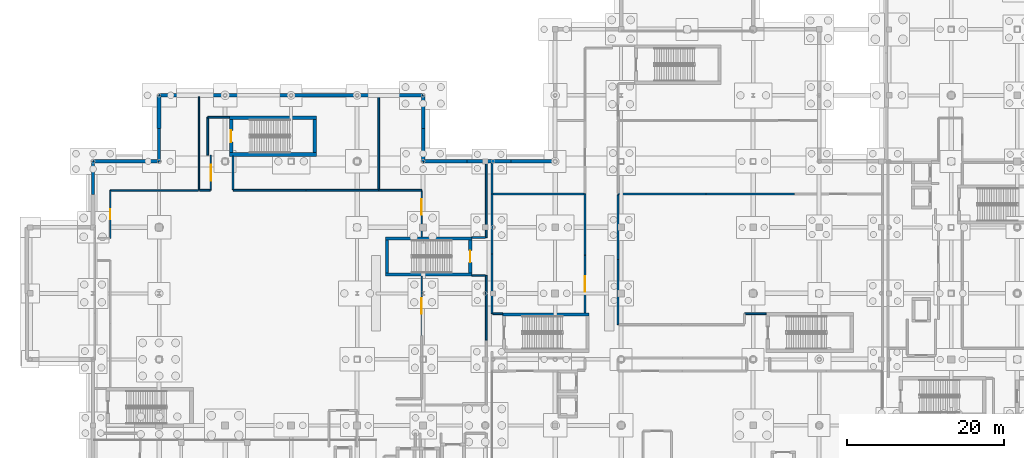
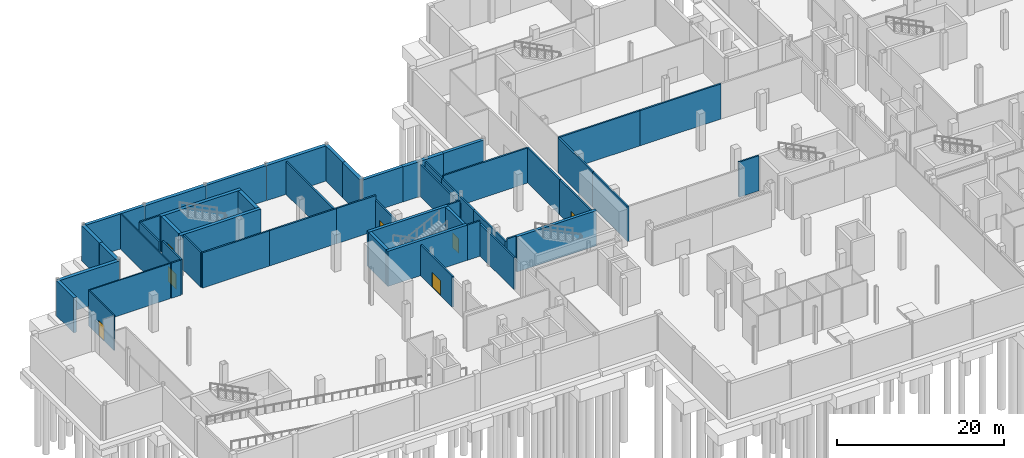
# One storey, part 31 of 49: 52 walls, 7 doors, 7 openings.
"""IFC4 building model written with IfcOpenShell, lengths in metres."""

import ifcopenshell
import ifcopenshell.guid

model = None  # the IFC model being written
_history = None  # IfcOwnerHistory: only IFC2X3 demands one
_inside = {}  # id of a spatial element -> (the spatial element, [elements in it])
_under = {}  # id of a project, library or spatial element -> (it, [spatial elements below it])
_declared = {}  # id of a project -> (the project, [libraries it declares])
_typed = {}  # id of a type object -> (the type object, [elements of that type])
_made_of = {}  # id of a material, layer set ... -> (it, [elements and type objects made of it])


def new_model(schema):
    """Start an empty IFC model of exactly this schema.

    Asked for "IFC4X3", IfcOpenShell would pick the latest addendum, in which some entities
    have other attributes; the version numbers below select the first issue.
    IFC2X3 requires an IfcOwnerHistory on every rooted entity: one is made here for all.
    """
    global model, _history
    if schema == "IFC4X3":
        model = ifcopenshell.file(schema_version=(4, 3, 0, 0))
    else:
        model = ifcopenshell.file(schema=schema)
    _inside.clear()
    _under.clear()
    _declared.clear()
    _typed.clear()
    _made_of.clear()
    _history = None
    if model.schema == "IFC2X3":
        org = make("IfcOrganization", Name="unknown")
        user = make(
            "IfcPersonAndOrganization",
            ThePerson=make("IfcPerson", FamilyName="unknown"),
            TheOrganization=org,
        )
        app = make(
            "IfcApplication",
            ApplicationDeveloper=org,
            Version="unknown",
            ApplicationFullName="unknown",
            ApplicationIdentifier="unknown",
        )
        _history = make(
            "IfcOwnerHistory",
            OwningUser=user,
            OwningApplication=app,
            ChangeAction="ADDED",
            CreationDate=0,
        )
    return model


def make(cls, **values):
    """One entity of the class cls with the attributes given. An attribute that is None is left unset."""
    return model.create_entity(
        cls, **{name: value for name, value in values.items() if value is not None}
    )


def rooted(cls, **values):
    """An entity with a GlobalId (a new one), such as an element, a storey or a relation."""
    return make(cls, GlobalId=ifcopenshell.guid.new(), OwnerHistory=_history, **values)


def si_unit(unit_type, name, prefix=None):
    """IfcSIUnit, for example si_unit("LENGTHUNIT", "METRE", prefix="MILLI")."""
    return make("IfcSIUnit", UnitType=unit_type, Prefix=prefix, Name=name)


def assignment(units):
    """IfcUnitAssignment: the units of a project."""
    return None if units is None else make("IfcUnitAssignment", Units=units)


def point(xyz):
    """IfcCartesianPoint."""
    return None if xyz is None else make("IfcCartesianPoint", Coordinates=xyz)


def direction(xyz):
    """IfcDirection."""
    return None if xyz is None else make("IfcDirection", DirectionRatios=xyz)


def frame(location, z_axis=None, x_axis=None):
    """IfcAxis2Placement3D, a coordinate frame: its origin and axes. An axis left out is left unset."""
    return make(
        "IfcAxis2Placement3D",
        Location=point(location),
        Axis=direction(z_axis),
        RefDirection=direction(x_axis),
    )


def frame_2d(location, x_axis=None):
    """IfcAxis2Placement2D, a coordinate frame in the plane: its origin and x axis."""
    return make(
        "IfcAxis2Placement2D", Location=point(location), RefDirection=direction(x_axis)
    )


def origin():
    """The frame at (0, 0, 0) with its axes left unset."""
    return frame((0.0, 0.0, 0.0))


def place(relative_to, where):
    """IfcLocalPlacement: puts the frame where relative to a parent placement (None: the world)."""
    return make(
        "IfcLocalPlacement", PlacementRelTo=relative_to, RelativePlacement=where
    )


def context(
    kind, dimensions, precision=None, world=None, true_north=None, identifier=None
):
    """IfcGeometricRepresentationContext, for example the 3D "Model" context."""
    return make(
        "IfcGeometricRepresentationContext",
        ContextIdentifier=identifier,
        ContextType=kind,
        CoordinateSpaceDimension=dimensions,
        Precision=precision,
        WorldCoordinateSystem=world,
        TrueNorth=true_north,
    )


def subcontext(parent, identifier, kind, view, scale=None):
    """IfcGeometricRepresentationSubContext, for example "Body" below "Model"."""
    return make(
        "IfcGeometricRepresentationSubContext",
        ContextIdentifier=identifier,
        ContextType=kind,
        ParentContext=parent,
        TargetScale=scale,
        TargetView=view,
    )


def project(units=None, contexts=None):
    """IfcProject with its units and contexts."""
    return rooted(
        "IfcProject",
        Name="project",
        RepresentationContexts=contexts,
        UnitsInContext=assignment(units),
    )


def spatial(cls, under=None, at=None, **own):
    """A site, building, storey or space (cls), placed at a placement, below another one or the project."""
    s = rooted(cls, ObjectPlacement=at, **own)
    if under is not None:
        _under.setdefault(under.id(), (under, []))[1].append(s)
    return s


def profile(cls, at=None, kind="AREA", **sizes):
    """A parametric profile (cls). Its sizes go by their IFC names, for example OverallWidth=200.0."""
    return make(cls, ProfileType=kind, Position=at, **sizes)


def rectangle(**sizes):
    """IfcRectangleProfileDef."""
    return profile("IfcRectangleProfileDef", **sizes)


def extrude(swept, where, along, depth):
    """IfcExtrudedAreaSolid: the profile swept, set in the frame where, extruded along a direction by depth."""
    return make(
        "IfcExtrudedAreaSolid",
        SweptArea=swept,
        Position=where,
        ExtrudedDirection=direction(along),
        Depth=depth,
    )


def shape(context_of_items, identifier, shape_type, items):
    """IfcShapeRepresentation: the items that make up one representation, for example the "Body"."""
    return make(
        "IfcShapeRepresentation",
        ContextOfItems=context_of_items,
        RepresentationIdentifier=identifier,
        RepresentationType=shape_type,
        Items=items,
    )


def material(Name=None, Category=None):
    """IfcMaterial."""
    return make("IfcMaterial", Name=Name, Category=Category)


def layer(
    of_material, thickness, ventilated=None, Name=None, Category=None, Priority=None
):
    """IfcMaterialLayer: one layer of a wall or slab, of a material (None: an air gap)."""
    return make(
        "IfcMaterialLayer",
        Material=of_material,
        LayerThickness=thickness,
        IsVentilated=ventilated,
        Name=Name,
        Category=Category,
        Priority=Priority,
    )


def layer_set(layers, Name=None):
    """IfcMaterialLayerSet."""
    return make("IfcMaterialLayerSet", MaterialLayers=layers, LayerSetName=Name)


def made_of(thing, what):
    """Note that an element or type object is made of a material, layer set ...; save() writes the relation."""
    if what is not None:
        _made_of.setdefault(what.id(), (what, []))[1].append(thing)
    return thing


def type_object(cls, material=None, **own):
    """A type object (cls), such as IfcWallType, which elements share."""
    return made_of(rooted(cls, **own), material)


def element(
    cls,
    number,
    at=None,
    inside=None,
    cuts=None,
    type_object=None,
    material=None,
    context=None,
    identifier="Body",
    shape_type=None,
    held_by="IfcProductDefinitionShape",
    body=None,
    shapes=None,
    **own,
):
    """One element of the class cls, such as IfcWall. Its Tag is "e" and its number.

    at: its placement. inside: the storey or other place that contains it. cuts: it is an
    opening in that element (IfcRelVoidsElement). A single representation is given by context,
    identifier, shape_type and body (its items); several are given by shapes. held_by: the class
    of the entity that holds the representations. save() writes the other relations.
    """
    e = rooted(cls, Tag="e%d" % number, ObjectPlacement=at, **own)
    if body is not None:
        shapes = [shape(context, identifier, shape_type, body)]
    if shapes is not None:
        e.Representation = make(held_by, Representations=shapes)
    if inside is not None:
        _inside.setdefault(inside.id(), (inside, []))[1].append(e)
    if cuts is not None:
        rooted(
            "IfcRelVoidsElement", RelatingBuildingElement=cuts, RelatedOpeningElement=e
        )
    if type_object is not None:
        _typed.setdefault(type_object.id(), (type_object, []))[1].append(e)
    return made_of(e, material)


def fill(opening, filler):
    """IfcRelFillsElement: the door or window that sits in an opening."""
    return rooted(
        "IfcRelFillsElement",
        RelatingOpeningElement=opening,
        RelatedBuildingElement=filler,
    )


def aggregate(whole, parts):
    """IfcRelAggregates: a whole, such as a stair, and the parts it consists of."""
    return rooted("IfcRelAggregates", RelatingObject=whole, RelatedObjects=parts)


def save(model, path):
    """Write the relations noted so far, then the file.

    IfcRelAggregates (storeys below a building ...), IfcRelContainedInSpatialStructure (elements
    in a storey), IfcRelDefinesByType, IfcRelAssociatesMaterial and IfcRelDeclares: one each for
    every whole, place, type object, material and project.
    """
    for whole, parts in _under.values():
        aggregate(whole, parts)
    for where, things in _inside.values():
        rooted(
            "IfcRelContainedInSpatialStructure",
            RelatedElements=things,
            RelatingStructure=where,
        )
    for kind, things in _typed.values():
        rooted("IfcRelDefinesByType", RelatedObjects=things, RelatingType=kind)
    for what, things in _made_of.values():
        rooted("IfcRelAssociatesMaterial", RelatedObjects=things, RelatingMaterial=what)
    for by, libraries in _declared.values():
        rooted("IfcRelDeclares", RelatingContext=by, RelatedDefinitions=libraries)
    model.write(path)


model = new_model("IFC4")

# Units and contexts
model_context = context("Model", 3, precision=1e-05, world=origin(), true_north=direction((0.0, 1.0)))
body_context = subcontext(model_context, "Body", "Model", "MODEL_VIEW")
ifc_project = project(units=[si_unit("LENGTHUNIT", "METRE"), si_unit("AREAUNIT", "SQUARE_METRE"), si_unit("VOLUMEUNIT", "CUBIC_METRE"), si_unit("PLANEANGLEUNIT", "RADIAN"), si_unit("MASSUNIT", "GRAM", prefix="KILO"), si_unit("THERMODYNAMICTEMPERATUREUNIT", "KELVIN")], contexts=[model_context])

# Site, building, storey
site_placement = place(None, origin())
site = spatial("IfcSite", under=ifc_project, at=site_placement, CompositionType="ELEMENT")
building_placement = place(site_placement, origin())
building = spatial("IfcBuilding", under=site, at=building_placement, Name="Lustrewick Department Store", CompositionType="ELEMENT")
storey_placement = place(building_placement, frame((0.0, 0.0, -5.39990234375)))
storey = spatial("IfcBuildingStorey", under=building, at=storey_placement, Name="B1", CompositionType="ELEMENT", Elevation=-5.39990234375)

# Wall, opening, door
ifc_material_1 = material(Name="Autoclaved aerated concrete blockwork and fire board", Category="masonry")
ifc_layer_1 = layer(ifc_material_1, 0.219970703125, Name="Autoclaved aerated concrete blockwork and fire board")
ifc_layer_set_1 = layer_set([ifc_layer_1], Name="Autoclaved aerated concrete blockwork and fire board")
wall_type_1 = type_object("IfcWallType", Name="PW01", PredefinedType="PARTITIONING", material=ifc_layer_set_1)
wall_1_placement = place(storey_placement, frame((23.389892578125, 80.31005859375, 0.0), z_axis=(0.0, 0.0, 1.0), x_axis=(0.0, 1.0, 0.0)))
wall_1 = element("IfcWall", 1, at=wall_1_placement, inside=storey, type_object=wall_type_1, Name="B1 Forward Merchandise Stockroom PW01", PredefinedType="PARTITIONING", context=body_context, shape_type="SweptSolid", body=[
    extrude(rectangle(XDim=4.47998046875, YDim=0.219970703125, at=frame_2d((2.239990234375, 0.0))), origin(), (0.0, 0.0, 1.0), 5.14501953125),
])
opening_1_placement = place(wall_1_placement, frame((1.239990234375, 0.0, 0.0)))
opening_1 = element("IfcOpeningElement", 2, at=opening_1_placement, cuts=wall_1, Name="Opening D-B1-043", PredefinedType="OPENING", context=body_context, shape_type="SweptSolid", body=[
    extrude(rectangle(XDim=2.0, YDim=2.199951171875, at=frame_2d((1.0, 1.10009765625))), frame((0.0, 0.1201171875, 0.0), z_axis=(0.0, -1.0, 0.0), x_axis=(1.0, 0.0, 0.0)), (0.0, 0.0, 1.0), 0.239990234375),
])
ifc_material_2 = material(Name="Steel fire door Class A EI 90", Category="steel")
door_type_1 = type_object("IfcDoorType", Name="DT-06", OperationType="NOTDEFINED", PredefinedType="DOOR", material=ifc_material_2)
door_1_placement = place(opening_1_placement, origin())
door_1 = element("IfcDoor", 3, at=door_1_placement, inside=storey, type_object=door_type_1, Name="B1 Forward Merchandise Stockroom Door D-B1-043", OperationType="DOUBLE_DOOR_SINGLE_SWING", OverallHeight=2.199951171875, OverallWidth=2.0, PredefinedType="DOOR", context=body_context, shape_type="SweptSolid", body=[
    extrude(rectangle(XDim=2.0, YDim=2.199951171875, at=frame_2d((1.0, 1.10009765625))), frame((0.0, 0.02490234375, 0.0), z_axis=(0.0, -1.0, 0.0), x_axis=(1.0, 0.0, 0.0)), (0.0, 0.0, 1.0), 0.050048828125),
])
fill(opening_1, door_1)

# Walls
wall_2_placement = place(storey_placement, frame((21.960693359375, 80.31005859375, 0.0), z_axis=(0.0, 0.0, 1.0), x_axis=(1.0, 0.0, 0.0)))
element("IfcWall", 4, at=wall_2_placement, inside=storey, type_object=wall_type_1, Name="B1 Forward Merchandise Stockroom PW01", PredefinedType="PARTITIONING", context=body_context, shape_type="SweptSolid", body=[
    extrude(rectangle(XDim=1.32421875, YDim=0.219970703125, at=frame_2d((0.662109375, 0.0))), origin(), (0.0, 0.0, 1.0), 5.14501953125),
])
wall_3_placement = place(storey_placement, frame((22.989990234375, 84.800048828125, 0.0), z_axis=(0.0, 0.0, 1.0), x_axis=(0.0, 1.0, 0.0)))
element("IfcWall", 5, at=wall_3_placement, inside=storey, type_object=wall_type_1, Name="B1 Forward Merchandise Stockroom PW01", PredefinedType="PARTITIONING", context=body_context, shape_type="SweptSolid", body=[
    extrude(rectangle(XDim=4.800048828125, YDim=0.219970703125, at=frame_2d((2.39990234375, 0.0))), origin(), (0.0, 0.0, 1.0), 5.14501953125),
])
wall_4_placement = place(storey_placement, frame((26.2099609375, 80.31005859375, 0.0), z_axis=(0.0, 0.0, 1.0), x_axis=(1.0, 0.0, 0.0)))
element("IfcWall", 6, at=wall_4_placement, inside=storey, type_object=wall_type_1, Name="B1 Forward Merchandise Stockroom PW01", PredefinedType="PARTITIONING", context=body_context, shape_type="SweptSolid", body=[
    extrude(rectangle(XDim=9.2734375, YDim=0.219970703125, at=frame_2d((4.63671875, 0.0))), origin(), (0.0, 0.0, 1.0), 5.14501953125),
])
wall_5_placement = place(storey_placement, frame((35.4833984375, 80.31005859375, 0.0), z_axis=(0.0, 0.0, 1.0), x_axis=(1.0, 0.0, 0.0)))
element("IfcWall", 7, at=wall_5_placement, inside=storey, type_object=wall_type_1, Name="B1 Forward Merchandise Stockroom PW01", PredefinedType="PARTITIONING", context=body_context, shape_type="SweptSolid", body=[
    extrude(rectangle(XDim=9.273193359375, YDim=0.219970703125, at=frame_2d((4.63671875, 0.0))), origin(), (0.0, 0.0, 1.0), 5.14501953125),
])
wall_6_placement = place(storey_placement, frame((26.2099609375, 84.655029296875, 0.0), z_axis=(0.0, 0.0, 1.0), x_axis=(0.0, -1.0, 0.0)))
element("IfcWall", 8, at=wall_6_placement, inside=storey, type_object=wall_type_1, Name="B1 Forward Merchandise Stockroom PW01", PredefinedType="PARTITIONING", context=body_context, shape_type="SweptSolid", body=[
    extrude(rectangle(XDim=4.239990234375, YDim=0.219970703125, at=frame_2d((2.1201171875, 0.0))), origin(), (0.0, 0.0, 1.0), 5.14501953125),
])
wall_7_placement = place(storey_placement, frame((44.756591796875, 80.4150390625, 0.0), z_axis=(0.0, 0.0, 1.0), x_axis=(0.0, 1.0, 0.0)))
element("IfcWall", 9, at=wall_7_placement, inside=storey, type_object=wall_type_1, Name="B1 Forward Merchandise Stockroom PW01", PredefinedType="PARTITIONING", context=body_context, shape_type="SweptSolid", body=[
    extrude(rectangle(XDim=11.75, YDim=0.219970703125, at=frame_2d((5.875, 0.0))), origin(), (0.0, 0.0, 1.0), 4.781982421875),
])
wall_8_placement = place(storey_placement, frame((23.0, 89.610107421875, 0.0), z_axis=(0.0, 0.0, 1.0), x_axis=(1.0, 0.0, 0.0)))
element("IfcWall", 10, at=wall_8_placement, inside=storey, type_object=wall_type_1, Name="B1 Forward Merchandise Stockroom PW01", PredefinedType="PARTITIONING", context=body_context, shape_type="SweptSolid", body=[
    extrude(rectangle(XDim=2.75, YDim=0.219970703125, at=frame_2d((1.375, 0.0))), origin(), (0.0, 0.0, 1.0), 5.14501953125),
])

# Wall, opening, door
wall_9_placement = place(storey_placement, frame((50.2099609375, 80.300048828125, 0.0), z_axis=(0.0, 0.0, 1.0), x_axis=(0.0, -1.0, 0.0)))
wall_9 = element("IfcWall", 11, at=wall_9_placement, inside=storey, type_object=wall_type_1, Name="B1 Cold Merchandise Storage PW01", PredefinedType="PARTITIONING", context=body_context, shape_type="SweptSolid", body=[
    extrude(rectangle(XDim=5.905029296875, YDim=0.219970703125, at=frame_2d((2.95263671875, 0.0))), origin(), (0.0, 0.0, 1.0), 4.515869140625),
])
opening_2_placement = place(wall_9_placement, frame((1.125732421875, 0.0, 0.0)))
opening_2 = element("IfcOpeningElement", 12, at=opening_2_placement, cuts=wall_9, Name="Opening D-B1-044", PredefinedType="OPENING", context=body_context, shape_type="SweptSolid", body=[
    extrude(rectangle(XDim=2.0, YDim=2.199951171875, at=frame_2d((1.0, 1.10009765625))), frame((0.0, 0.1201171875, 0.0), z_axis=(0.0, -1.0, 0.0), x_axis=(1.0, 0.0, 0.0)), (0.0, 0.0, 1.0), 0.239990234375),
])
door_2_placement = place(opening_2_placement, origin())
door_2 = element("IfcDoor", 13, at=door_2_placement, inside=storey, type_object=door_type_1, Name="B1 Cold Merchandise Storage Door D-B1-044", OperationType="DOUBLE_DOOR_SINGLE_SWING", OverallHeight=2.199951171875, OverallWidth=2.0, PredefinedType="DOOR", context=body_context, shape_type="SweptSolid", body=[
    extrude(rectangle(XDim=2.0, YDim=2.199951171875, at=frame_2d((1.0, 1.10009765625))), frame((0.0, 0.02490234375, 0.0), z_axis=(0.0, -1.0, 0.0), x_axis=(1.0, 0.0, 0.0)), (0.0, 0.0, 1.0), 0.050048828125),
])
fill(opening_2, door_2)

# Walls
wall_10_placement = place(storey_placement, frame((58.43994140625, 74.31005859375, 0.0), z_axis=(0.0, 0.0, 1.0), x_axis=(0.0, 1.0, 0.0)))
element("IfcWall", 14, at=wall_10_placement, inside=storey, type_object=wall_type_1, Name="B1 Cold Merchandise Storage PW01", PredefinedType="PARTITIONING", context=body_context, shape_type="SweptSolid", body=[
    extrude(rectangle(XDim=9.454833984375, YDim=0.219970703125, at=frame_2d((4.7275390625, 0.0))), origin(), (0.0, 0.0, 1.0), 4.681884765625),
])
wall_11_placement = place(storey_placement, frame((44.756591796875, 80.31005859375, 0.0), z_axis=(0.0, 0.0, 1.0), x_axis=(1.0, 0.0, 0.0)))
element("IfcWall", 15, at=wall_11_placement, inside=storey, type_object=wall_type_1, Name="B1 Cold Merchandise Storage PW01", PredefinedType="PARTITIONING", context=body_context, shape_type="SweptSolid", body=[
    extrude(rectangle(XDim=5.443359375, YDim=0.219970703125, at=frame_2d((2.7216796875, 0.0))), origin(), (0.0, 0.0, 1.0), 5.14501953125),
])
wall_12_placement = place(storey_placement, frame((56.60009765625, 74.31005859375, 0.0), z_axis=(0.0, 0.0, 1.0), x_axis=(1.0, 0.0, 0.0)))
element("IfcWall", 16, at=wall_12_placement, inside=storey, type_object=wall_type_1, Name="B1 Cold Merchandise Storage PW01", PredefinedType="PARTITIONING", context=body_context, shape_type="SweptSolid", body=[
    extrude(rectangle(XDim=1.73486328125, YDim=0.219970703125, at=frame_2d((0.867431640625, 0.0))), origin(), (0.0, 0.0, 1.0), 5.14501953125),
])
wall_13_placement = place(storey_placement, frame((58.43994140625, 61.25, 0.0), z_axis=(0.0, 0.0, 1.0), x_axis=(0.0, 1.0, 0.0)))
element("IfcWall", 17, at=wall_13_placement, inside=storey, type_object=wall_type_1, Name="B1 V1 Reserve Merchandise Stockroom 1 PW01", PredefinedType="PARTITIONING", context=body_context, shape_type="SweptSolid", body=[
    extrude(rectangle(XDim=8.239990234375, YDim=0.219970703125, at=frame_2d((4.1201171875, 0.0))), origin(), (0.0, 0.0, 1.0), 4.681884765625),
])

# Wall, opening, door
wall_14_placement = place(storey_placement, frame((50.2099609375, 69.405029296875, 0.0), z_axis=(0.0, 0.0, 1.0), x_axis=(0.0, -1.0, 0.0)))
wall_14 = element("IfcWall", 18, at=wall_14_placement, inside=storey, type_object=wall_type_1, Name="B1 V1 Reserve Merchandise Stockroom 1 PW01", PredefinedType="PARTITIONING", context=body_context, shape_type="SweptSolid", body=[
    extrude(rectangle(XDim=7.610107421875, YDim=0.219970703125, at=frame_2d((3.80517578125, 0.0))), origin(), (0.0, 0.0, 1.0), 4.515869140625),
])
opening_3_placement = place(wall_14_placement, frame((2.804931640625, 0.0, 0.0)))
opening_3 = element("IfcOpeningElement", 19, at=opening_3_placement, cuts=wall_14, Name="Opening D-B1-045", PredefinedType="OPENING", context=body_context, shape_type="SweptSolid", body=[
    extrude(rectangle(XDim=2.0, YDim=2.199951171875, at=frame_2d((1.0, 1.10009765625))), frame((0.0, 0.1201171875, 0.0), z_axis=(0.0, -1.0, 0.0), x_axis=(1.0, 0.0, 0.0)), (0.0, 0.0, 1.0), 0.239990234375),
])
door_3_placement = place(opening_3_placement, origin())
door_3 = element("IfcDoor", 20, at=door_3_placement, inside=storey, type_object=door_type_1, Name="B1 V1 Reserve Merchandise Stockroom 1 Door D-B1-045", OperationType="DOUBLE_DOOR_SINGLE_SWING", OverallHeight=2.199951171875, OverallWidth=2.0, PredefinedType="DOOR", context=body_context, shape_type="SweptSolid", body=[
    extrude(rectangle(XDim=2.0, YDim=2.199951171875, at=frame_2d((1.0, 1.10009765625))), frame((0.0, 0.02490234375, 0.0), z_axis=(0.0, -1.0, 0.0), x_axis=(1.0, 0.0, 0.0)), (0.0, 0.0, 1.0), 0.050048828125),
])
fill(opening_3, door_3)

# Wall
wall_15_placement = place(storey_placement, frame((58.3349609375, 69.489990234375, 0.0), z_axis=(0.0, 0.0, 1.0), x_axis=(-1.0, 0.0, 0.0)))
element("IfcWall", 21, at=wall_15_placement, inside=storey, type_object=wall_type_1, Name="B1 V1 Reserve Merchandise Stockroom 1 PW01", PredefinedType="PARTITIONING", context=body_context, shape_type="SweptSolid", body=[
    extrude(rectangle(XDim=1.73486328125, YDim=0.219970703125, at=frame_2d((0.867431640625, 0.0))), origin(), (0.0, 0.0, 1.0), 5.14501953125),
])

# Wall, opening, door
wall_16_placement = place(storey_placement, frame((70.989990234375, 64.695068359375, 0.0), z_axis=(0.0, 0.0, 1.0), x_axis=(0.0, 1.0, 0.0)))
wall_16 = element("IfcWall", 22, at=wall_16_placement, inside=storey, type_object=wall_type_1, Name="B1 V2 Reserve Stockroom 3 PW01", PredefinedType="PARTITIONING", context=body_context, shape_type="SweptSolid", body=[
    extrude(rectangle(XDim=7.383056640625, YDim=0.219970703125, at=frame_2d((3.69140625, 0.0))), origin(), (0.0, 0.0, 1.0), 5.14501953125),
])
opening_4_placement = place(wall_16_placement, frame((2.691650390625, 0.0, 0.0)))
opening_4 = element("IfcOpeningElement", 23, at=opening_4_placement, cuts=wall_16, Name="Opening D-B1-055", PredefinedType="OPENING", context=body_context, shape_type="SweptSolid", body=[
    extrude(rectangle(XDim=2.0, YDim=2.199951171875, at=frame_2d((1.0, 1.10009765625))), frame((0.0, 0.1201171875, 0.0), z_axis=(0.0, -1.0, 0.0), x_axis=(1.0, 0.0, 0.0)), (0.0, 0.0, 1.0), 0.239990234375),
])
door_4_placement = place(opening_4_placement, origin())
door_4 = element("IfcDoor", 24, at=door_4_placement, inside=storey, type_object=door_type_1, Name="B1 V2 Reserve Stockroom 3 Door D-B1-055", OperationType="DOUBLE_DOOR_SINGLE_SWING", OverallHeight=2.199951171875, OverallWidth=2.0, PredefinedType="DOOR", context=body_context, shape_type="SweptSolid", body=[
    extrude(rectangle(XDim=2.0, YDim=2.199951171875, at=frame_2d((1.0, 1.10009765625))), frame((0.0, 0.02490234375, 0.0), z_axis=(0.0, -1.0, 0.0), x_axis=(1.0, 0.0, 0.0)), (0.0, 0.0, 1.0), 0.050048828125),
])
fill(opening_4, door_4)

# Walls
wall_17_placement = place(storey_placement, frame((70.989990234375, 72.078125, 0.0), z_axis=(0.0, 0.0, 1.0), x_axis=(0.0, 1.0, 0.0)))
element("IfcWall", 25, at=wall_17_placement, inside=storey, type_object=wall_type_1, Name="B1 V2 Reserve Stockroom 3 PW01", PredefinedType="PARTITIONING", context=body_context, shape_type="SweptSolid", body=[
    extrude(rectangle(XDim=7.768310546875, YDim=0.219970703125, at=frame_2d((3.88427734375, 0.0))), origin(), (0.0, 0.0, 1.0), 5.14501953125),
])
for number, where, z_axis, x_axis, name in (
    (26, (59.159912109375, 79.846435546875, 0.0), (0.0, 0.0, 1.0), (0.0, -1.0, 0.0), "B1 V2 Reserve Stockroom 3 PW01"),
    (27, (59.159912109375, 72.228271484375, 0.0), (0.0, 0.0, 1.0), (0.0, -1.0, 0.0), "B1 V2 Reserve Stockroom 3 PW01"),
):
    element("IfcWall", number, at=place(storey_placement, frame(where, z_axis=z_axis, x_axis=x_axis)), inside=storey, type_object=wall_type_1, Name=name, PredefinedType="PARTITIONING", context=body_context, shape_type="SweptSolid", body=[
        extrude(rectangle(XDim=7.6181640625, YDim=0.219970703125, at=frame_2d((3.80908203125, 0.0))), origin(), (0.0, 0.0, 1.0), 4.77197265625),
    ])
wall_18_placement = place(storey_placement, frame((70.885009765625, 79.846435546875, 0.0), z_axis=(0.0, 0.0, 1.0), x_axis=(-1.0, 0.0, 0.0)))
element("IfcWall", 28, at=wall_18_placement, inside=storey, type_object=wall_type_1, Name="B1 V2 Reserve Stockroom 3 PW01", PredefinedType="PARTITIONING", context=body_context, shape_type="SweptSolid", body=[
    extrude(rectangle(XDim=11.6201171875, YDim=0.219970703125, at=frame_2d((5.81005859375, 0.0))), origin(), (0.0, 0.0, 1.0), 5.14501953125),
])
wall_19_placement = place(storey_placement, frame((59.264892578125, 64.610107421875, 0.0), z_axis=(0.0, 0.0, 1.0), x_axis=(1.0, 0.0, 0.0)))
element("IfcWall", 29, at=wall_19_placement, inside=storey, type_object=wall_type_1, Name="B1 V2 Reserve Stockroom 3 PW01", PredefinedType="PARTITIONING", context=body_context, shape_type="SweptSolid", body=[
    extrude(rectangle(XDim=1.235107421875, YDim=0.219970703125, at=frame_2d((0.61767578125, 0.0))), origin(), (0.0, 0.0, 1.0), 5.14501953125),
])
wall_20_placement = place(storey_placement, frame((59.159912109375, 83.764892578125, 0.0), z_axis=(0.0, 0.0, 1.0), x_axis=(0.0, -1.0, 0.0)))
element("IfcWall", 30, at=wall_20_placement, inside=storey, type_object=wall_type_1, Name="B1 V2 Reserve Stockroom 4 PW01", PredefinedType="PARTITIONING", context=body_context, shape_type="SweptSolid", body=[
    extrude(rectangle(XDim=3.91845703125, YDim=0.219970703125, at=frame_2d((1.959228515625, 0.0))), origin(), (0.0, 0.0, 1.0), 4.77197265625),
])
for number, where, z_axis, x_axis, name in (
    (31, (97.6298828125, 79.846435546875, 0.0), (0.0, 0.0, 1.0), (-1.0, 0.0, 0.0), "B1 Forward Merchandise Stockroom PW01"),
    (32, (86.419921875, 79.846435546875, 0.0), (0.0, 0.0, 1.0), (-1.0, 0.0, 0.0), "B1 Forward Merchandise Stockroom PW01"),
):
    element("IfcWall", number, at=place(storey_placement, frame(where, z_axis=z_axis, x_axis=x_axis)), inside=storey, type_object=wall_type_1, Name=name, PredefinedType="PARTITIONING", context=body_context, shape_type="SweptSolid", body=[
        extrude(rectangle(XDim=11.2099609375, YDim=0.219970703125, at=frame_2d((5.60498046875, 0.0))), origin(), (0.0, 0.0, 1.0), 5.14501953125),
    ])
wall_21_placement = place(storey_placement, frame((75.2099609375, 79.741455078125, 0.0), z_axis=(0.0, 0.0, 1.0), x_axis=(0.0, -1.0, 0.0)))
element("IfcWall", 33, at=wall_21_placement, inside=storey, type_object=wall_type_1, Name="B1 Forward Merchandise Stockroom PW01", PredefinedType="PARTITIONING", context=body_context, shape_type="SweptSolid", body=[
    extrude(rectangle(XDim=8.213134765625, YDim=0.219970703125, at=frame_2d((4.1064453125, 0.0))), origin(), (0.0, 0.0, 1.0), 5.14501953125),
])
wall_22_placement = place(storey_placement, frame((75.2099609375, 71.5283203125, 0.0), z_axis=(0.0, 0.0, 1.0), x_axis=(0.0, -1.0, 0.0)))
element("IfcWall", 34, at=wall_22_placement, inside=storey, type_object=wall_type_1, Name="B1 Forward Merchandise Stockroom PW01", PredefinedType="PARTITIONING", context=body_context, shape_type="SweptSolid", body=[
    extrude(rectangle(XDim=8.318359375, YDim=0.219970703125, at=frame_2d((4.1591796875, 0.0))), origin(), (0.0, 0.0, 1.0), 5.14501953125),
])
wall_23_placement = place(storey_placement, frame((91.300048828125, 64.610107421875, 0.0), z_axis=(0.0, 0.0, 1.0), x_axis=(1.0, 0.0, 0.0)))
element("IfcWall", 35, at=wall_23_placement, inside=storey, type_object=wall_type_1, Name="B1 Forward Merchandise Stockroom PW01", PredefinedType="PARTITIONING", context=body_context, shape_type="SweptSolid", body=[
    extrude(rectangle(XDim=2.75, YDim=0.219970703125, at=frame_2d((1.375, 0.0))), origin(), (0.0, 0.0, 1.0), 5.14501953125),
])

# Wall, opening, door
ifc_material_3 = material(Name="Double-stud gypsum fire board with mineral wool", Category="gypsum")
ifc_layer_2 = layer(ifc_material_3, 0.1650390625, Name="Double-stud gypsum fire board with mineral wool")
ifc_layer_set_2 = layer_set([ifc_layer_2], Name="Double-stud gypsum fire board with mineral wool")
wall_type_2 = type_object("IfcWallType", Name="PW04", PredefinedType="PARTITIONING", material=ifc_layer_set_2)
wall_24_placement = place(storey_placement, frame((10.590087890625, 74.2099609375, 0.0), z_axis=(0.0, 0.0, 1.0), x_axis=(0.0, 1.0, 0.0)))
wall_24 = element("IfcWall", 36, at=wall_24_placement, inside=storey, type_object=wall_type_2, Name="B1 Bicycle Parking Room PW04", PredefinedType="PARTITIONING", context=body_context, shape_type="SweptSolid", body=[
    extrude(rectangle(XDim=6.090087890625, YDim=0.1650390625, at=frame_2d((3.044921875, 0.0))), origin(), (0.0, 0.0, 1.0), 5.14501953125),
])
opening_5_placement = place(wall_24_placement, frame((2.39501953125, 0.0, 0.0)))
opening_5 = element("IfcOpeningElement", 37, at=opening_5_placement, cuts=wall_24, Name="Opening D-B1-042", PredefinedType="OPENING", context=body_context, shape_type="SweptSolid", body=[
    extrude(rectangle(XDim=1.300048828125, YDim=2.199951171875, at=frame_2d((0.64990234375, 1.10009765625))), frame((0.0, 0.092529296875, 0.0), z_axis=(0.0, -1.0, 0.0), x_axis=(1.0, 0.0, 0.0)), (0.0, 0.0, 1.0), 0.18505859375),
])
door_type_2 = type_object("IfcDoorType", Name="DT-13", OperationType="NOTDEFINED", PredefinedType="DOOR", material=ifc_material_2)
door_5_placement = place(opening_5_placement, origin())
door_5 = element("IfcDoor", 38, at=door_5_placement, inside=storey, type_object=door_type_2, Name="B1 Bicycle Parking Room Door D-B1-042", OperationType="SINGLE_SWING_RIGHT", OverallHeight=2.199951171875, OverallWidth=1.300048828125, PredefinedType="DOOR", context=body_context, shape_type="SweptSolid", body=[
    extrude(rectangle(XDim=1.300048828125, YDim=2.199951171875, at=frame_2d((0.64990234375, 1.10009765625))), frame((0.0, 0.02490234375, 0.0), z_axis=(0.0, -1.0, 0.0), x_axis=(1.0, 0.0, 0.0)), (0.0, 0.0, 1.0), 0.050048828125),
])
fill(opening_5, door_5)

# Walls
wall_25_placement = place(storey_placement, frame((21.883056640625, 80.31005859375, 0.0), z_axis=(0.0, 0.0, 1.0), x_axis=(0.0, 1.0, 0.0)))
element("IfcWall", 39, at=wall_25_placement, inside=storey, type_object=wall_type_2, Name="B1 Bicycle Parking Room PW04", PredefinedType="PARTITIONING", context=body_context, shape_type="SweptSolid", body=[
    extrude(rectangle(XDim=11.885009765625, YDim=0.1650390625, at=frame_2d((5.9423828125, 0.0))), origin(), (0.0, 0.0, 1.0), 5.14501953125),
])
wall_26_placement = place(storey_placement, frame((10.60009765625, 80.31005859375, 0.0), z_axis=(0.0, 0.0, 1.0), x_axis=(1.0, 0.0, 0.0)))
element("IfcWall", 40, at=wall_26_placement, inside=storey, type_object=wall_type_2, Name="B1 Bicycle Parking Room PW04", PredefinedType="PARTITIONING", context=body_context, shape_type="SweptSolid", body=[
    extrude(rectangle(XDim=11.20556640625, YDim=0.1650390625, at=frame_2d((5.602783203125, 0.0))), origin(), (0.0, 0.0, 1.0), 5.14501953125),
])
ifc_material_4 = material(Name="Concrete C40", Category="concrete")
ifc_layer_3 = layer(ifc_material_4, 0.419921875, Name="Concrete C40")
ifc_layer_set_3 = layer_set([ifc_layer_3], Name="Concrete C40")
wall_type_3 = type_object("IfcWallType", Name="RW01", PredefinedType="USERDEFINED", material=ifc_layer_set_3)
for number, where, z_axis, x_axis, name in (
    (41, (8.39990234375, 79.800048828125, 0.0), (0.0, 0.0, 1.0), (0.0, 1.0, 0.0), "B1 Retaining Wall RW01 0025"),
    (42, (16.800048828125, 84.0, 0.0), (0.0, 0.0, 1.0), (0.0, 1.0, 0.0), "B1 Retaining Wall RW01 0027"),
):
    element("IfcWall", number, at=place(storey_placement, frame(where, z_axis=z_axis, x_axis=x_axis)), inside=storey, type_object=wall_type_3, Name=name, ObjectType="RETAININGWALL", PredefinedType="USERDEFINED", context=body_context, shape_type="SweptSolid", body=[
        extrude(rectangle(XDim=4.199951171875, YDim=0.419921875, at=frame_2d((2.10009765625, 0.0))), origin(), (0.0, 0.0, 1.0), 5.1298828125),
    ])
for number, where, z_axis, x_axis, name in (
    (43, (16.800048828125, 92.39990234375, 0.0), (0.0, 0.0, 1.0), (1.0, 0.0, 0.0), "B1 Retaining Wall RW01 0029"),
    (44, (33.60009765625, 92.39990234375, 0.0), (0.0, 0.0, 1.0), (1.0, 0.0, 0.0), "B1 Retaining Wall RW01 0031"),
):
    element("IfcWall", number, at=place(storey_placement, frame(where, z_axis=z_axis, x_axis=x_axis)), inside=storey, type_object=wall_type_3, Name=name, ObjectType="RETAININGWALL", PredefinedType="USERDEFINED", context=body_context, shape_type="SweptSolid", body=[
        extrude(rectangle(XDim=8.39990234375, YDim=0.419921875, at=frame_2d((4.199951171875, 0.0))), origin(), (0.0, 0.0, 1.0), 5.1298828125),
    ])
wall_27_placement = place(storey_placement, frame((50.39990234375, 92.39990234375, 0.0), z_axis=(0.0, 0.0, 1.0), x_axis=(0.0, -1.0, 0.0)))
element("IfcWall", 45, at=wall_27_placement, inside=storey, type_object=wall_type_3, Name="B1 Retaining Wall RW01 0033", ObjectType="RETAININGWALL", PredefinedType="USERDEFINED", context=body_context, shape_type="SweptSolid", body=[
    extrude(rectangle(XDim=4.199951171875, YDim=0.419921875, at=frame_2d((2.10009765625, 0.0))), origin(), (0.0, 0.0, 1.0), 5.1298828125),
])
wall_28_placement = place(storey_placement, frame((50.39990234375, 84.0, 0.0), z_axis=(0.0, 0.0, 1.0), x_axis=(1.0, 0.0, 0.0)))
element("IfcWall", 46, at=wall_28_placement, inside=storey, type_object=wall_type_3, Name="B1 Retaining Wall RW01 0035", ObjectType="RETAININGWALL", PredefinedType="USERDEFINED", context=body_context, shape_type="SweptSolid", body=[
    extrude(rectangle(XDim=5.60009765625, YDim=0.419921875, at=frame_2d((2.800048828125, 0.0))), origin(), (0.0, 0.0, 1.0), 5.1298828125),
])
wall_29_placement = place(storey_placement, frame((61.60009765625, 84.0, 0.0), z_axis=(0.0, 0.0, 1.0), x_axis=(1.0, 0.0, 0.0)))
element("IfcWall", 47, at=wall_29_placement, inside=storey, type_object=wall_type_3, Name="B1 Retaining Wall RW01 0037", ObjectType="RETAININGWALL", PredefinedType="USERDEFINED", context=body_context, shape_type="SweptSolid", body=[
    extrude(rectangle(XDim=5.599853515625, YDim=0.419921875, at=frame_2d((2.7998046875, 0.0))), origin(), (0.0, 0.0, 1.0), 5.1298828125),
])
ifc_layer_4 = layer(ifc_material_4, 0.47998046875, Name="Concrete C40")
ifc_layer_set_4 = layer_set([ifc_layer_4], Name="Concrete C40")
wall_type_4 = type_object("IfcWallType", Name="RW02", PredefinedType="USERDEFINED", material=ifc_layer_set_4)
wall_30_placement = place(storey_placement, frame((8.39990234375, 84.0, 0.0), z_axis=(0.0, 0.0, 1.0), x_axis=(1.0, 0.0, 0.0)))
element("IfcWall", 48, at=wall_30_placement, inside=storey, type_object=wall_type_4, Name="B1 Retaining Wall RW02 0026", ObjectType="RETAININGWALL", PredefinedType="USERDEFINED", context=body_context, shape_type="SweptSolid", body=[
    extrude(rectangle(XDim=8.400146484375, YDim=0.47998046875, at=frame_2d((4.2001953125, 0.0))), origin(), (0.0, 0.0, 1.0), 5.1298828125),
])
wall_31_placement = place(storey_placement, frame((16.800048828125, 88.199951171875, 0.0), z_axis=(0.0, 0.0, 1.0), x_axis=(0.0, 1.0, 0.0)))
element("IfcWall", 49, at=wall_31_placement, inside=storey, type_object=wall_type_4, Name="B1 Retaining Wall RW02 0028", ObjectType="RETAININGWALL", PredefinedType="USERDEFINED", context=body_context, shape_type="SweptSolid", body=[
    extrude(rectangle(XDim=4.199951171875, YDim=0.47998046875, at=frame_2d((2.10009765625, 0.0))), origin(), (0.0, 0.0, 1.0), 5.1298828125),
])
wall_32_placement = place(storey_placement, frame((25.199951171875, 92.39990234375, 0.0), z_axis=(0.0, 0.0, 1.0), x_axis=(1.0, 0.0, 0.0)))
element("IfcWall", 50, at=wall_32_placement, inside=storey, type_object=wall_type_4, Name="B1 Retaining Wall RW02 0030", ObjectType="RETAININGWALL", PredefinedType="USERDEFINED", context=body_context, shape_type="SweptSolid", body=[
    extrude(rectangle(XDim=8.400146484375, YDim=0.47998046875, at=frame_2d((4.2001953125, 0.0))), origin(), (0.0, 0.0, 1.0), 5.1298828125),
])
wall_33_placement = place(storey_placement, frame((42.0, 92.39990234375, 0.0), z_axis=(0.0, 0.0, 1.0), x_axis=(1.0, 0.0, 0.0)))
element("IfcWall", 51, at=wall_33_placement, inside=storey, type_object=wall_type_4, Name="B1 Retaining Wall RW02 0032", ObjectType="RETAININGWALL", PredefinedType="USERDEFINED", context=body_context, shape_type="SweptSolid", body=[
    extrude(rectangle(XDim=8.39990234375, YDim=0.47998046875, at=frame_2d((4.199951171875, 0.0))), origin(), (0.0, 0.0, 1.0), 5.1298828125),
])
wall_34_placement = place(storey_placement, frame((50.39990234375, 88.199951171875, 0.0), z_axis=(0.0, 0.0, 1.0), x_axis=(0.0, -1.0, 0.0)))
element("IfcWall", 52, at=wall_34_placement, inside=storey, type_object=wall_type_4, Name="B1 Retaining Wall RW02 0034", ObjectType="RETAININGWALL", PredefinedType="USERDEFINED", context=body_context, shape_type="SweptSolid", body=[
    extrude(rectangle(XDim=4.199951171875, YDim=0.47998046875, at=frame_2d((2.10009765625, 0.0))), origin(), (0.0, 0.0, 1.0), 5.1298828125),
])
wall_35_placement = place(storey_placement, frame((56.0, 84.0, 0.0), z_axis=(0.0, 0.0, 1.0), x_axis=(1.0, 0.0, 0.0)))
element("IfcWall", 53, at=wall_35_placement, inside=storey, type_object=wall_type_4, Name="B1 Retaining Wall RW02 0036", ObjectType="RETAININGWALL", PredefinedType="USERDEFINED", context=body_context, shape_type="SweptSolid", body=[
    extrude(rectangle(XDim=5.60009765625, YDim=0.47998046875, at=frame_2d((2.800048828125, 0.0))), origin(), (0.0, 0.0, 1.0), 5.1298828125),
])
ifc_material_5 = material(Name="Concrete C50", Category="concrete")
ifc_layer_5 = layer(ifc_material_5, 0.449951171875, Name="Concrete C50")
ifc_layer_set_5 = layer_set([ifc_layer_5], Name="Concrete C50")
wall_type_5 = type_object("IfcWallType", Name="SW01", PredefinedType="SHEAR", material=ifc_layer_set_5)
wall_36_placement = place(storey_placement, frame((25.75, 84.875, 0.0), z_axis=(0.0, 0.0, 1.0), x_axis=(1.0, 0.0, 0.0)))
element("IfcWall", 54, at=wall_36_placement, inside=storey, type_object=wall_type_5, Name="B1 Stair Core ST03 Shear Wall S", PredefinedType="SHEAR", context=body_context, shape_type="SweptSolid", body=[
    extrude(rectangle(XDim=11.10009765625, YDim=0.449951171875, at=frame_2d((5.550048828125, 0.0))), origin(), (0.0, 0.0, 1.0), 5.14501953125),
])
wall_37_placement = place(storey_placement, frame((36.625, 85.10009765625, 0.0), z_axis=(0.0, 0.0, 1.0), x_axis=(0.0, 1.0, 0.0)))
element("IfcWall", 55, at=wall_37_placement, inside=storey, type_object=wall_type_5, Name="B1 Stair Core ST03 Shear Wall E", PredefinedType="SHEAR", context=body_context, shape_type="SweptSolid", body=[
    extrude(rectangle(XDim=4.199951171875, YDim=0.449951171875, at=frame_2d((2.10009765625, 0.0))), origin(), (0.0, 0.0, 1.0), 5.14501953125),
])
wall_38_placement = place(storey_placement, frame((36.85009765625, 89.52490234375, 0.0), z_axis=(0.0, 0.0, 1.0), x_axis=(-1.0, 0.0, 0.0)))
element("IfcWall", 56, at=wall_38_placement, inside=storey, type_object=wall_type_5, Name="B1 Stair Core ST03 Shear Wall N", PredefinedType="SHEAR", context=body_context, shape_type="SweptSolid", body=[
    extrude(rectangle(XDim=11.10009765625, YDim=0.449951171875, at=frame_2d((5.550048828125, 0.0))), origin(), (0.0, 0.0, 1.0), 5.14501953125),
])

# Wall, opening, door
wall_39_placement = place(storey_placement, frame((25.97509765625, 89.300048828125, 0.0), z_axis=(0.0, 0.0, 1.0), x_axis=(0.0, -1.0, 0.0)))
wall_39 = element("IfcWall", 57, at=wall_39_placement, inside=storey, type_object=wall_type_5, Name="B1 Stair Core ST03 Shear Wall W", PredefinedType="SHEAR", context=body_context, shape_type="SweptSolid", body=[
    extrude(rectangle(XDim=4.199951171875, YDim=0.449951171875, at=frame_2d((2.10009765625, 0.0))), origin(), (0.0, 0.0, 1.0), 5.14501953125),
])
opening_6_placement = place(wall_39_placement, frame((1.35009765625, 0.0, 0.0)))
opening_6 = element("IfcOpeningElement", 58, at=opening_6_placement, cuts=wall_39, Name="Opening D-B1-003", PredefinedType="OPENING", context=body_context, shape_type="SweptSolid", body=[
    extrude(rectangle(XDim=1.5, YDim=2.14990234375, at=frame_2d((0.75, 1.074951171875))), frame((0.0, 0.23486328125, 0.0), z_axis=(0.0, -1.0, 0.0), x_axis=(1.0, 0.0, 0.0)), (0.0, 0.0, 1.0), 0.469970703125),
])
ifc_material_6 = material(Name="Steel fire door Class B EI 60", Category="steel")
door_type_3 = type_object("IfcDoorType", Name="DT-07", OperationType="NOTDEFINED", PredefinedType="DOOR", material=ifc_material_6)
door_6_placement = place(opening_6_placement, origin())
door_6 = element("IfcDoor", 59, at=door_6_placement, inside=storey, type_object=door_type_3, Name="B1 Smoke-Proof Stair ST03 Fire Door", OperationType="SINGLE_SWING_RIGHT", OverallHeight=2.14990234375, OverallWidth=1.5, PredefinedType="DOOR", context=body_context, shape_type="SweptSolid", body=[
    extrude(rectangle(XDim=1.5, YDim=2.14990234375, at=frame_2d((0.75, 1.074951171875))), frame((0.0, 0.02490234375, 0.0), z_axis=(0.0, -1.0, 0.0), x_axis=(1.0, 0.0, 0.0)), (0.0, 0.0, 1.0), 0.050048828125),
])
fill(opening_6, door_6)

# Wall
ifc_layer_6 = layer(ifc_material_5, 0.39990234375, Name="Concrete C50")
ifc_layer_set_6 = layer_set([ifc_layer_6], Name="Concrete C50")
wall_type_6 = type_object("IfcWallType", Name="SW02", PredefinedType="SHEAR", material=ifc_layer_set_6)
wall_40_placement = place(storey_placement, frame((45.60009765625, 69.60009765625, 0.0), z_axis=(0.0, 0.0, 1.0), x_axis=(1.0, 0.0, 0.0)))
element("IfcWall", 60, at=wall_40_placement, inside=storey, type_object=wall_type_6, Name="B1 Stair Core ST02 Shear Wall S", PredefinedType="SHEAR", context=body_context, shape_type="SweptSolid", body=[
    extrude(rectangle(XDim=11.0, YDim=0.39990234375, at=frame_2d((5.5, 0.0))), origin(), (0.0, 0.0, 1.0), 5.14501953125),
])

# Wall, opening, door
wall_41_placement = place(storey_placement, frame((56.39990234375, 69.800048828125, 0.0), z_axis=(0.0, 0.0, 1.0), x_axis=(0.0, 1.0, 0.0)))
wall_41 = element("IfcWall", 61, at=wall_41_placement, inside=storey, type_object=wall_type_6, Name="B1 Stair Core ST02 Shear Wall E", PredefinedType="SHEAR", context=body_context, shape_type="SweptSolid", body=[
    extrude(rectangle(XDim=4.199951171875, YDim=0.39990234375, at=frame_2d((2.10009765625, 0.0))), origin(), (0.0, 0.0, 1.0), 5.14501953125),
])
opening_7_placement = place(wall_41_placement, frame((1.35009765625, 0.0, 0.0)))
opening_7 = element("IfcOpeningElement", 62, at=opening_7_placement, cuts=wall_41, Name="Opening D-B1-002", PredefinedType="OPENING", context=body_context, shape_type="SweptSolid", body=[
    extrude(rectangle(XDim=1.5, YDim=2.14990234375, at=frame_2d((0.75, 1.074951171875))), frame((0.0, 0.2099609375, 0.0), z_axis=(0.0, -1.0, 0.0), x_axis=(1.0, 0.0, 0.0)), (0.0, 0.0, 1.0), 0.419921875),
])
door_7_placement = place(opening_7_placement, origin())
door_7 = element("IfcDoor", 63, at=door_7_placement, inside=storey, type_object=door_type_3, Name="B1 Smoke-Proof Stair ST02 Fire Door", OperationType="SINGLE_SWING_LEFT", OverallHeight=2.14990234375, OverallWidth=1.5, PredefinedType="DOOR", context=body_context, shape_type="SweptSolid", body=[
    extrude(rectangle(XDim=1.5, YDim=2.14990234375, at=frame_2d((0.75, 1.074951171875))), frame((0.0, 0.02490234375, 0.0), z_axis=(0.0, -1.0, 0.0), x_axis=(1.0, 0.0, 0.0)), (0.0, 0.0, 1.0), 0.050048828125),
])
fill(opening_7, door_7)

# Walls
wall_42_placement = place(storey_placement, frame((56.60009765625, 74.199951171875, 0.0), z_axis=(0.0, 0.0, 1.0), x_axis=(-1.0, 0.0, 0.0)))
element("IfcWall", 64, at=wall_42_placement, inside=storey, type_object=wall_type_6, Name="B1 Stair Core ST02 Shear Wall N", PredefinedType="SHEAR", context=body_context, shape_type="SweptSolid", body=[
    extrude(rectangle(XDim=11.0, YDim=0.39990234375, at=frame_2d((5.5, 0.0))), origin(), (0.0, 0.0, 1.0), 5.14501953125),
])
wall_43_placement = place(storey_placement, frame((45.800048828125, 74.0, 0.0), z_axis=(0.0, 0.0, 1.0), x_axis=(0.0, -1.0, 0.0)))
element("IfcWall", 65, at=wall_43_placement, inside=storey, type_object=wall_type_6, Name="B1 Stair Core ST02 Shear Wall W", PredefinedType="SHEAR", context=body_context, shape_type="SweptSolid", body=[
    extrude(rectangle(XDim=4.199951171875, YDim=0.39990234375, at=frame_2d((2.10009765625, 0.0))), origin(), (0.0, 0.0, 1.0), 5.14501953125),
])
wall_44_placement = place(storey_placement, frame((71.5, 64.5, 0.0), z_axis=(0.0, 0.0, 1.0), x_axis=(-1.0, 0.0, 0.0)))
element("IfcWall", 66, at=wall_44_placement, inside=storey, type_object=wall_type_6, Name="B1 Stair Core ST04 Shear Wall N", PredefinedType="SHEAR", context=body_context, shape_type="SweptSolid", body=[
    extrude(rectangle(XDim=11.0, YDim=0.39990234375, at=frame_2d((5.5, 0.0))), origin(), (0.0, 0.0, 1.0), 5.14501953125),
])

save(model, "model.ifc")
